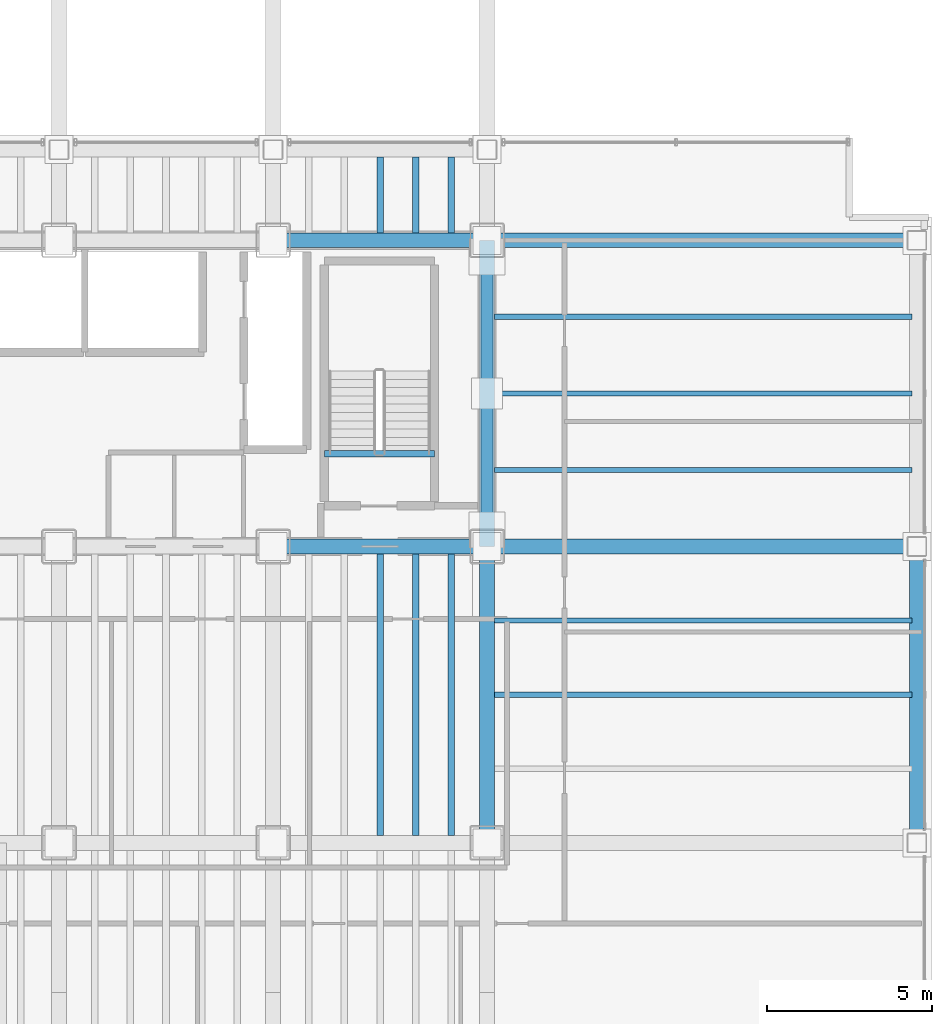
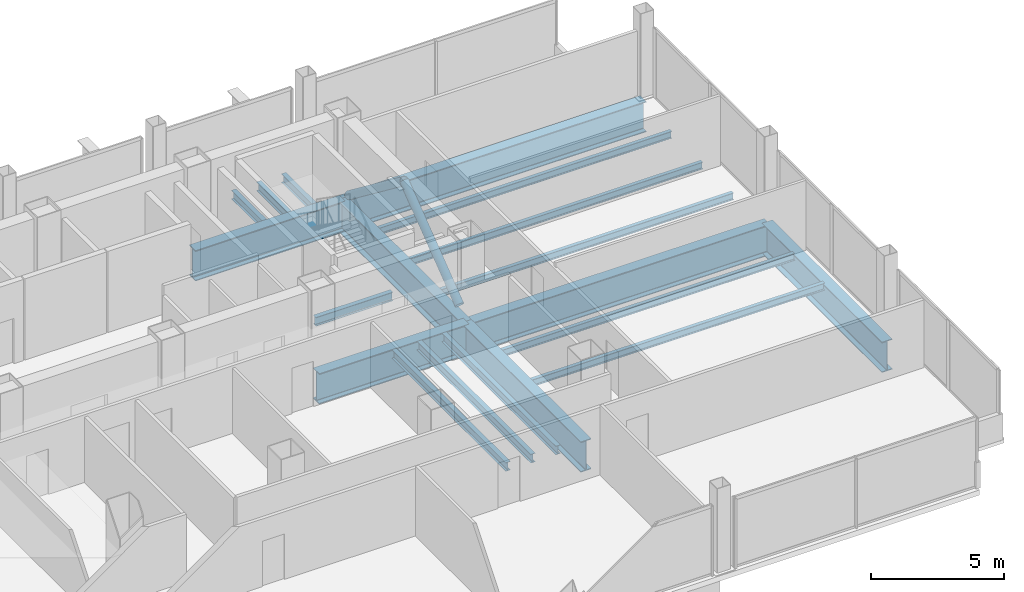
# One storey, part 12 of 21: 19 beams, 2 members.
"""IFC4 building model written with IfcOpenShell, lengths in metres."""

from ifc_helpers import new_model, si_unit, direction, frame, origin, origin_2d, place, context, subcontext, project, spatial, hollow_circle, i_section, extrude, material, material_profile, profile_set, type_object, element, save


model = new_model("IFC4")

# Units and contexts
model_context = context("Model", 3, precision=1e-05, world=origin(), true_north=direction((0.0, 1.0)))
body_context = subcontext(model_context, "Body", "Model", "MODEL_VIEW")
ifc_project = project(units=[si_unit("LENGTHUNIT", "METRE"), si_unit("AREAUNIT", "SQUARE_METRE"), si_unit("VOLUMEUNIT", "CUBIC_METRE"), si_unit("PLANEANGLEUNIT", "RADIAN"), si_unit("MASSUNIT", "GRAM", prefix="KILO")], contexts=[model_context])

# Site, building, storey
site_placement = place(None, origin())
site = spatial("IfcSite", under=ifc_project, at=site_placement, CompositionType="ELEMENT")
building_placement = place(site_placement, origin())
building = spatial("IfcBuilding", under=site, at=building_placement, Name="Noeulbin Bourse Tower", CompositionType="ELEMENT")
storey_placement = place(building_placement, frame((0.0, 0.0, 81.10009765625)))
storey = spatial("IfcBuildingStorey", under=building, at=storey_placement, Name="L20", CompositionType="ELEMENT", Elevation=81.10009765625)

# Beams
ifc_material_1 = material(Name="Steel S355", Category="steel")
ifc_material_profile_1 = material_profile(ifc_material_1, i_section(OverallWidth=0.159912109375, OverallDepth=0.320068359375, WebThickness=0.006591796875, FlangeThickness=0.010009765625, FilletRadius=0.012939453125, at=origin_2d()), Name="H-320x160x6.5x10", Category="LoadBearing")
ifc_profile_set_1 = profile_set([ifc_material_profile_1], Name="Steel S355")
beam_type_1 = type_object("IfcBeamType", Name="BM-JST-320", PredefinedType="JOIST", material=ifc_profile_set_1)
for number, where, z_axis, x_axis, name in (
    (1, (44.22509765625, 24.5, -0.400146484375), (1.0, 0.0, 0.0), (0.0, 1.0, 0.0), "Wing Composite Joist L20-E77"),
    (2, (44.22509765625, 26.75, -0.400146484375), (1.0, 0.0, 0.0), (0.0, 1.0, 0.0), "Wing Composite Joist L20-E78"),
    (3, (44.22509765625, 31.324951171875, -0.400146484375), (1.0, 0.0, 0.0), (0.0, 1.0, 0.0), "Wing Composite Joist L20-E79"),
    (4, (44.22509765625, 33.64990234375, -0.400146484375), (1.0, 0.0, 0.0), (0.0, 1.0, 0.0), "Wing Composite Joist L20-E80"),
    (5, (44.22509765625, 35.97509765625, -0.400146484375), (1.0, 0.0, 0.0), (0.0, 1.0, 0.0), "Wing Composite Joist L20-E81"),
):
    element("IfcBeam", number, at=place(storey_placement, frame(where, z_axis=z_axis, x_axis=x_axis)), inside=storey, type_object=beam_type_1, Name=name, PredefinedType="JOIST", context=body_context, shape_type="SweptSolid", body=[
        extrude(i_section(OverallWidth=0.159912109375, OverallDepth=0.320068359375, WebThickness=0.006591796875, FlangeThickness=0.010009765625, FilletRadius=0.012939453125, at=origin_2d()), origin(), (0.0, 0.0, 1.0), 12.6748046875),
    ])
ifc_material_profile_2 = material_profile(ifc_material_1, i_section(OverallWidth=0.199951171875, OverallDepth=0.39990234375, WebThickness=0.008056640625, FlangeThickness=0.012939453125, FilletRadius=0.01611328125, at=origin_2d()), Name="H-400x200x8x13", Category="LoadBearing")
ifc_profile_set_2 = profile_set([ifc_material_profile_2], Name="Steel S355")
beam_type_2 = type_object("IfcBeamType", Name="BM-SEC-400", PredefinedType="BEAM", material=ifc_profile_set_2)
beam_1_placement = place(storey_placement, frame((40.75, 20.22509765625, -0.440185546875), z_axis=(0.0, 1.0, 0.0), x_axis=(-1.0, 0.0, 0.0)))
element("IfcBeam", 6, at=beam_1_placement, inside=storey, type_object=beam_type_2, Name="Tower Composite Joist L20-62", PredefinedType="BEAM", context=body_context, shape_type="SweptSolid", body=[
    extrude(i_section(OverallWidth=0.199951171875, OverallDepth=0.39990234375, WebThickness=0.008056640625, FlangeThickness=0.012939453125, FilletRadius=0.01611328125, at=origin_2d()), origin(), (0.0, 0.0, 1.0), 8.5498046875),
])
beam_2_placement = place(storey_placement, frame((40.75, 38.52490234375, -0.440185546875), z_axis=(0.0, 1.0, 0.0), x_axis=(-1.0, 0.0, 0.0)))
element("IfcBeam", 7, at=beam_2_placement, inside=storey, type_object=beam_type_2, Name="Tower Composite Joist L20-63", PredefinedType="BEAM", context=body_context, shape_type="SweptSolid", body=[
    extrude(i_section(OverallWidth=0.199951171875, OverallDepth=0.39990234375, WebThickness=0.008056640625, FlangeThickness=0.012939453125, FilletRadius=0.01611328125, at=origin_2d()), origin(), (0.0, 0.0, 1.0), 2.300048828125),
])
beam_3_placement = place(storey_placement, frame((41.833251953125, 20.22509765625, -0.440185546875), z_axis=(0.0, 1.0, 0.0), x_axis=(-1.0, 0.0, 0.0)))
element("IfcBeam", 8, at=beam_3_placement, inside=storey, type_object=beam_type_2, Name="Tower Composite Joist L20-65", PredefinedType="BEAM", context=body_context, shape_type="SweptSolid", body=[
    extrude(i_section(OverallWidth=0.199951171875, OverallDepth=0.39990234375, WebThickness=0.008056640625, FlangeThickness=0.012939453125, FilletRadius=0.01611328125, at=origin_2d()), origin(), (0.0, 0.0, 1.0), 8.5498046875),
])
beam_4_placement = place(storey_placement, frame((41.833251953125, 38.52490234375, -0.440185546875), z_axis=(0.0, 1.0, 0.0), x_axis=(-1.0, 0.0, 0.0)))
element("IfcBeam", 9, at=beam_4_placement, inside=storey, type_object=beam_type_2, Name="Tower Composite Joist L20-66", PredefinedType="BEAM", context=body_context, shape_type="SweptSolid", body=[
    extrude(i_section(OverallWidth=0.199951171875, OverallDepth=0.39990234375, WebThickness=0.008056640625, FlangeThickness=0.012939453125, FilletRadius=0.01611328125, at=origin_2d()), origin(), (0.0, 0.0, 1.0), 2.300048828125),
])
beam_5_placement = place(storey_placement, frame((42.916748046875, 20.22509765625, -0.440185546875), z_axis=(0.0, 1.0, 0.0), x_axis=(-1.0, 0.0, 0.0)))
element("IfcBeam", 10, at=beam_5_placement, inside=storey, type_object=beam_type_2, Name="Tower Composite Joist L20-68", PredefinedType="BEAM", context=body_context, shape_type="SweptSolid", body=[
    extrude(i_section(OverallWidth=0.199951171875, OverallDepth=0.39990234375, WebThickness=0.008056640625, FlangeThickness=0.012939453125, FilletRadius=0.01611328125, at=origin_2d()), origin(), (0.0, 0.0, 1.0), 8.5498046875),
])
beam_6_placement = place(storey_placement, frame((42.916748046875, 38.52490234375, -0.440185546875), z_axis=(0.0, 1.0, 0.0), x_axis=(-1.0, 0.0, 0.0)))
element("IfcBeam", 11, at=beam_6_placement, inside=storey, type_object=beam_type_2, Name="Tower Composite Joist L20-69", PredefinedType="BEAM", context=body_context, shape_type="SweptSolid", body=[
    extrude(i_section(OverallWidth=0.199951171875, OverallDepth=0.39990234375, WebThickness=0.008056640625, FlangeThickness=0.012939453125, FilletRadius=0.01611328125, at=origin_2d()), origin(), (0.0, 0.0, 1.0), 2.300048828125),
])
beam_7_placement = place(storey_placement, frame((39.06005859375, 31.820068359375, -0.2001953125), z_axis=(1.0, 0.0, 0.0), x_axis=(0.0, 1.0, 0.0)))
element("IfcBeam", 12, at=beam_7_placement, inside=storey, type_object=beam_type_2, Name="Stair Threshold Trimmer Beam ST2-L20", PredefinedType="BEAM", context=body_context, shape_type="SweptSolid", body=[
    extrude(i_section(OverallWidth=0.199951171875, OverallDepth=0.39990234375, WebThickness=0.008056640625, FlangeThickness=0.012939453125, FilletRadius=0.01611328125, at=origin_2d()), origin(), (0.0, 0.0, 1.0), 3.33984375),
])
ifc_material_2 = material(Name="Steel S460", Category="steel")
ifc_material_profile_3 = material_profile(ifc_material_2, i_section(OverallWidth=0.449951171875, OverallDepth=1.39990234375, WebThickness=0.02392578125, FlangeThickness=0.0400390625, FilletRadius=0.02392578125, at=origin_2d()), Name="PG-1400x450x24x40", Category="LoadBearing")
ifc_profile_set_3 = profile_set([ifc_material_profile_3], Name="Steel S460")
beam_type_3 = type_object("IfcBeamType", Name="BM-TRF-1400", PredefinedType="USERDEFINED", material=ifc_profile_set_3)
beam_8_placement = place(storey_placement, frame((37.5, 29.0, -0.940185546875), z_axis=(1.0, 0.0, 0.0), x_axis=(0.0, 1.0, 0.0)))
element("IfcBeam", 13, at=beam_8_placement, inside=storey, type_object=beam_type_3, Name="Tower Primary Girder EW L20-2.5", ObjectType="GIRDER", PredefinedType="USERDEFINED", context=body_context, shape_type="SweptSolid", body=[
    extrude(i_section(OverallWidth=0.449951171875, OverallDepth=1.39990234375, WebThickness=0.02392578125, FlangeThickness=0.0400390625, FilletRadius=0.02392578125, at=origin_2d()), origin(), (0.0, 0.0, 1.0), 6.5),
])
beam_9_placement = place(storey_placement, frame((44.0, 29.0, -0.940185546875), z_axis=(1.0, 0.0, 0.0), x_axis=(0.0, 1.0, 0.0)))
element("IfcBeam", 14, at=beam_9_placement, inside=storey, type_object=beam_type_3, Name="Tower Primary Girder EW L20-2.6", ObjectType="GIRDER", PredefinedType="USERDEFINED", context=body_context, shape_type="SweptSolid", body=[
    extrude(i_section(OverallWidth=0.449951171875, OverallDepth=1.39990234375, WebThickness=0.02392578125, FlangeThickness=0.0400390625, FilletRadius=0.02392578125, at=origin_2d()), origin(), (0.0, 0.0, 1.0), 13.050048828125),
])
beam_10_placement = place(storey_placement, frame((37.5, 38.300048828125, -0.940185546875), z_axis=(1.0, 0.0, 0.0), x_axis=(0.0, 1.0, 0.0)))
element("IfcBeam", 15, at=beam_10_placement, inside=storey, type_object=beam_type_3, Name="Tower Primary Girder EW L20-3.5", ObjectType="GIRDER", PredefinedType="USERDEFINED", context=body_context, shape_type="SweptSolid", body=[
    extrude(i_section(OverallWidth=0.449951171875, OverallDepth=1.39990234375, WebThickness=0.02392578125, FlangeThickness=0.0400390625, FilletRadius=0.02392578125, at=origin_2d()), origin(), (0.0, 0.0, 1.0), 6.5),
])
beam_11_placement = place(storey_placement, frame((44.0, 38.300048828125, -0.940185546875), z_axis=(1.0, 0.0, 0.0), x_axis=(0.0, 1.0, 0.0)))
element("IfcBeam", 16, at=beam_11_placement, inside=storey, type_object=beam_type_3, Name="Tower Primary Girder EW L20-3.6", ObjectType="GIRDER", PredefinedType="USERDEFINED", context=body_context, shape_type="SweptSolid", body=[
    extrude(i_section(OverallWidth=0.449951171875, OverallDepth=1.39990234375, WebThickness=0.02392578125, FlangeThickness=0.0400390625, FilletRadius=0.02392578125, at=origin_2d()), origin(), (0.0, 0.0, 1.0), 13.050048828125),
])
beam_12_placement = place(storey_placement, frame((44.0, 20.0, -0.940185546875), z_axis=(0.0, 1.0, 0.0), x_axis=(-1.0, 0.0, 0.0)))
element("IfcBeam", 17, at=beam_12_placement, inside=storey, type_object=beam_type_3, Name="Tower Primary Girder NS L20-5.4", ObjectType="GIRDER", PredefinedType="USERDEFINED", context=body_context, shape_type="SweptSolid", body=[
    extrude(i_section(OverallWidth=0.449951171875, OverallDepth=1.39990234375, WebThickness=0.02392578125, FlangeThickness=0.0400390625, FilletRadius=0.02392578125, at=origin_2d()), origin(), (0.0, 0.0, 1.0), 9.0),
])
beam_13_placement = place(storey_placement, frame((44.0, 29.0, -0.940185546875), z_axis=(0.0, 1.0, 0.0), x_axis=(-1.0, 0.0, 0.0)))
element("IfcBeam", 18, at=beam_13_placement, inside=storey, type_object=beam_type_3, Name="Tower Primary Girder NS L20-5.5", ObjectType="GIRDER", PredefinedType="USERDEFINED", context=body_context, shape_type="SweptSolid", body=[
    extrude(i_section(OverallWidth=0.449951171875, OverallDepth=1.39990234375, WebThickness=0.02392578125, FlangeThickness=0.0400390625, FilletRadius=0.02392578125, at=origin_2d()), origin(), (0.0, 0.0, 1.0), 9.300048828125),
])
beam_14_placement = place(storey_placement, frame((57.050048828125, 20.0, -0.940185546875), z_axis=(0.0, 1.0, 0.0), x_axis=(-1.0, 0.0, 0.0)))
element("IfcBeam", 19, at=beam_14_placement, inside=storey, type_object=beam_type_3, Name="East Spandrel L20-1", ObjectType="GIRDER", PredefinedType="USERDEFINED", context=body_context, shape_type="SweptSolid", body=[
    extrude(i_section(OverallWidth=0.449951171875, OverallDepth=1.39990234375, WebThickness=0.02392578125, FlangeThickness=0.0400390625, FilletRadius=0.02392578125, at=origin_2d()), origin(), (0.0, 0.0, 1.0), 9.0),
])

# Members
ifc_material_profile_4 = material_profile(ifc_material_1, hollow_circle(Radius=0.177734375, WallThickness=0.0126953125, at=origin_2d()), Name="CHS-355.6x12.7", Category="LoadBearing")
ifc_profile_set_4 = profile_set([ifc_material_profile_4], Name="Steel S355")
member_type = type_object("IfcMemberType", Name="MEM-EXO-356", PredefinedType="BRACE", material=ifc_profile_set_4)
for number, where, z_axis, x_axis, name in (
    (20, (44.0, 29.5, 0.199951171875), (0.0, 0.794684163041, 0.607023130541), (-1.0, 0.0, 0.0), "Core Flank Chevron Brace XT-L20-E1"),
    (21, (44.0, 33.64990234375, 3.369873046875), (0.0, 0.794701388985, -0.607000578538), (-1.0, 0.0, 0.0), "Core Flank Chevron Brace XT-L20-E2"),
):
    element("IfcMember", number, at=place(storey_placement, frame(where, z_axis=z_axis, x_axis=x_axis)), inside=storey, type_object=member_type, Name=name, PredefinedType="BRACE", context=body_context, shape_type="SweptSolid", body=[
        extrude(hollow_circle(Radius=0.177734375, WallThickness=0.0126953125, at=origin_2d()), origin(), (0.0, 0.0, 1.0), 5.22216796875),
    ])

save(model, "model.ifc")
